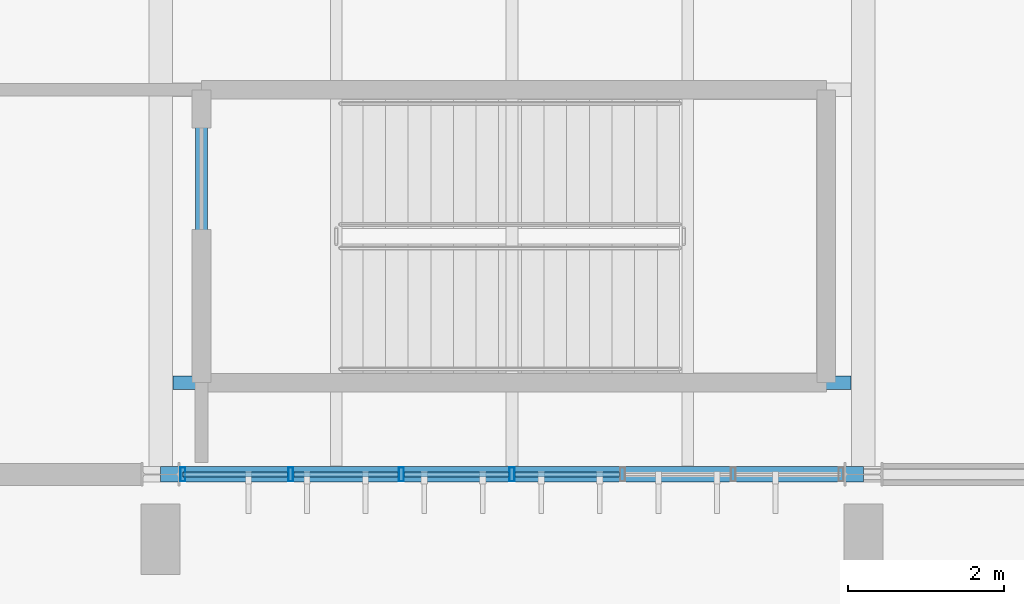
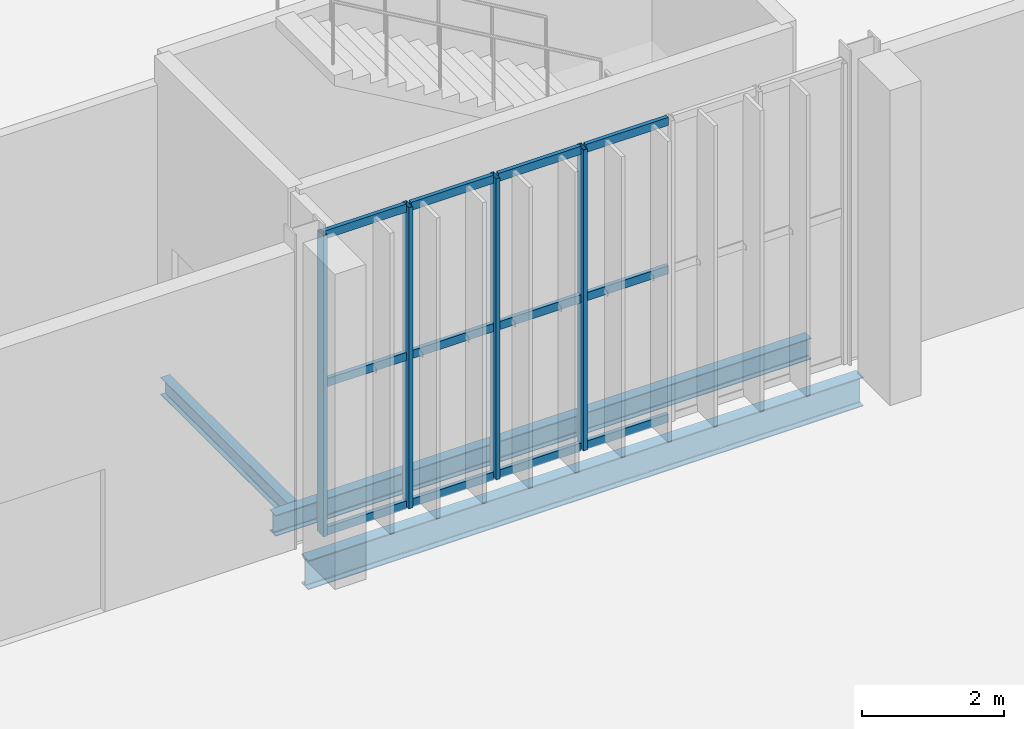
# One storey, part 41 of 158: 16 members, 3 beams, 1 element without a shape of its own.
"""IFC4 building model written with IfcOpenShell, lengths in metres."""

from ifc_helpers import new_model, si_unit, derived_unit, direction, frame, origin, origin_2d, place, context, subcontext, project, spatial, hollow_rectangle, i_section, extrude, material, material_profile, profile_set, type_object, element, aggregate, save


model = new_model("IFC4")

# Units and contexts
model_context = context("Model", 3, precision=1e-05, world=origin(), true_north=direction((0.0, 1.0)))
body_context = subcontext(model_context, "Body", "Model", "MODEL_VIEW")
ifc_project = project(units=[si_unit("LENGTHUNIT", "METRE"), si_unit("AREAUNIT", "SQUARE_METRE"), si_unit("VOLUMEUNIT", "CUBIC_METRE"), si_unit("PLANEANGLEUNIT", "RADIAN"), si_unit("MASSUNIT", "GRAM", prefix="KILO"), si_unit("THERMODYNAMICTEMPERATUREUNIT", "KELVIN"), si_unit("TIMEUNIT", "SECOND"), derived_unit("THERMALTRANSMITTANCEUNIT", [(si_unit("MASSUNIT", "GRAM", prefix="KILO"), 1), (si_unit("THERMODYNAMICTEMPERATUREUNIT", "KELVIN"), -1), (si_unit("TIMEUNIT", "SECOND"), -3)])], contexts=[model_context])

# Site, building, storey
site_placement = place(None, origin())
site = spatial("IfcSite", under=ifc_project, at=site_placement, CompositionType="ELEMENT")
building_placement = place(site_placement, origin())
building = spatial("IfcBuilding", under=site, at=building_placement, Name="Cambertide Market Hall", CompositionType="ELEMENT")
storey_placement = place(building_placement, origin())
storey = spatial("IfcBuildingStorey", under=building, at=storey_placement, Name="L01", CompositionType="ELEMENT", Elevation=0.0)

# Curtain wall, members
ifc_material_1 = material(Name="Marine Anodized Aluminium 6063-T6 AA25", Category="aluminium")
curtain_wall_type = type_object("IfcCurtainWallType", Name="Lantern Straight Lower Curtain Wall", PredefinedType="USERDEFINED", material=ifc_material_1)
curtain_wall_placement = place(storey_placement, origin())
curtain_wall = element("IfcCurtainWall", 1, at=curtain_wall_placement, inside=storey, type_object=curtain_wall_type, Name="Level 1 Curtain Wall CW-V1S-L01-5", ObjectType="UNITIZED CURTAIN WALL", PredefinedType="USERDEFINED")
ifc_material_2 = material(Name="Champagne Marine Anodized Aluminium 6063-T6 AA25", Category="aluminium")
ifc_material_profile_1 = material_profile(ifc_material_2, hollow_rectangle(XDim=0.06494140625, YDim=0.179931640625, WallThickness=0.00390625, at=origin_2d()), Name="ALU MULLION 65x180")
ifc_profile_set_1 = profile_set([ifc_material_profile_1], Name="Champagne Marine Anodized Aluminium 6063-T6 AA25")
member_type_1 = type_object("IfcMemberType", Name="Curtain Wall Mullion ALU MULLION 65x180", PredefinedType="MULLION", material=ifc_profile_set_1)
member_1_placement = place(storey_placement, frame((82.5, 52.0, 0.0), z_axis=(0.0, 0.0, 1.0), x_axis=(-1.0, 0.0, 0.0)))
member_1 = element("IfcMember", 2, at=member_1_placement, type_object=member_type_1, Name="CW-V1S-L01-5 Mullion 4", PredefinedType="MULLION", context=body_context, shape_type="SweptSolid", body=[
    extrude(hollow_rectangle(XDim=0.06494140625, YDim=0.179931640625, WallThickness=0.00390625, at=origin_2d()), origin(), (0.0, 0.0, 1.0), 5.159912109375),
])
member_2_placement = place(storey_placement, frame((81.083251953125, 52.0, 0.0), z_axis=(0.0, 0.0, 1.0), x_axis=(-1.0, 0.0, 0.0)))
member_2 = element("IfcMember", 3, at=member_2_placement, type_object=member_type_1, Name="CW-V1S-L01-5 Mullion 5", PredefinedType="MULLION", context=body_context, shape_type="SweptSolid", body=[
    extrude(hollow_rectangle(XDim=0.06494140625, YDim=0.179931640625, WallThickness=0.00390625, at=origin_2d()), origin(), (0.0, 0.0, 1.0), 5.159912109375),
])
member_3_placement = place(storey_placement, frame((79.666748046875, 52.0, 0.0), z_axis=(0.0, 0.0, 1.0), x_axis=(-1.0, 0.0, 0.0)))
member_3 = element("IfcMember", 4, at=member_3_placement, type_object=member_type_1, Name="CW-V1S-L01-5 Mullion 6", PredefinedType="MULLION", context=body_context, shape_type="SweptSolid", body=[
    extrude(hollow_rectangle(XDim=0.06494140625, YDim=0.179931640625, WallThickness=0.00390625, at=origin_2d()), origin(), (0.0, 0.0, 1.0), 5.159912109375),
])
member_4_placement = place(storey_placement, frame((78.284912109375, 52.0, 0.0), z_axis=(0.0, 0.0, 1.0), x_axis=(-1.0, 0.0, 0.0)))
member_4 = element("IfcMember", 5, at=member_4_placement, type_object=member_type_1, Name="CW-V1S-L01-5 Mullion 7", PredefinedType="MULLION", context=body_context, shape_type="SweptSolid", body=[
    extrude(hollow_rectangle(XDim=0.06494140625, YDim=0.179931640625, WallThickness=0.00390625, at=origin_2d()), origin(), (0.0, 0.0, 1.0), 5.159912109375),
])
ifc_material_3 = material(Name="Champagne Marine Anodized Aluminium 6063-T6 AA25", Category="aluminium")
ifc_material_profile_2 = material_profile(ifc_material_3, hollow_rectangle(XDim=0.06494140625, YDim=0.139892578125, WallThickness=0.00341796875, at=origin_2d()), Name="ALU TRANSOM 65x140")
ifc_profile_set_2 = profile_set([ifc_material_profile_2], Name="Champagne Marine Anodized Aluminium 6063-T6 AA25")
member_type_2 = type_object("IfcMemberType", Name="Curtain Wall Transom ALU TRANSOM 65x140", PredefinedType="USERDEFINED", material=ifc_profile_set_2)
member_5_placement = place(storey_placement, frame((83.876708984375, 52.0, 0.034912109375), z_axis=(-1.0, 0.0, 0.0), x_axis=(0.0, -1.0, 0.0)))
member_5 = element("IfcMember", 6, at=member_5_placement, type_object=member_type_2, Name="CW-V1S-L01-5 Transom 1-3", ObjectType="TRANSOM", PredefinedType="USERDEFINED", context=body_context, shape_type="SweptSolid", body=[
    extrude(hollow_rectangle(XDim=0.06494140625, YDim=0.139892578125, WallThickness=0.00341796875, at=origin_2d()), origin(), (0.0, 0.0, 1.0), 1.336669921875),
])
member_6_placement = place(storey_placement, frame((82.4599609375, 52.0, 0.034912109375), z_axis=(-1.0, 0.0, 0.0), x_axis=(0.0, -1.0, 0.0)))
member_6 = element("IfcMember", 7, at=member_6_placement, type_object=member_type_2, Name="CW-V1S-L01-5 Transom 1-4", ObjectType="TRANSOM", PredefinedType="USERDEFINED", context=body_context, shape_type="SweptSolid", body=[
    extrude(hollow_rectangle(XDim=0.06494140625, YDim=0.139892578125, WallThickness=0.00341796875, at=origin_2d()), origin(), (0.0, 0.0, 1.0), 1.336669921875),
])
member_7_placement = place(storey_placement, frame((81.043212890625, 52.0, 0.034912109375), z_axis=(-1.0, 0.0, 0.0), x_axis=(0.0, -1.0, 0.0)))
member_7 = element("IfcMember", 8, at=member_7_placement, type_object=member_type_2, Name="CW-V1S-L01-5 Transom 1-5", ObjectType="TRANSOM", PredefinedType="USERDEFINED", context=body_context, shape_type="SweptSolid", body=[
    extrude(hollow_rectangle(XDim=0.06494140625, YDim=0.139892578125, WallThickness=0.00341796875, at=origin_2d()), origin(), (0.0, 0.0, 1.0), 1.33642578125),
])
member_8_placement = place(storey_placement, frame((79.626708984375, 52.0, 0.034912109375), z_axis=(-1.0, 0.0, 0.0), x_axis=(0.0, -1.0, 0.0)))
member_8 = element("IfcMember", 9, at=member_8_placement, type_object=member_type_2, Name="CW-V1S-L01-5 Transom 1-6", ObjectType="TRANSOM", PredefinedType="USERDEFINED", context=body_context, shape_type="SweptSolid", body=[
    extrude(hollow_rectangle(XDim=0.06494140625, YDim=0.139892578125, WallThickness=0.00341796875, at=origin_2d()), origin(), (0.0, 0.0, 1.0), 1.336669921875),
])
member_9_placement = place(storey_placement, frame((83.876708984375, 52.0, 2.580078125), z_axis=(-1.0, 0.0, 0.0), x_axis=(0.0, -1.0, 0.0)))
member_9 = element("IfcMember", 10, at=member_9_placement, type_object=member_type_2, Name="CW-V1S-L01-5 Transom 2-3", ObjectType="TRANSOM", PredefinedType="USERDEFINED", context=body_context, shape_type="SweptSolid", body=[
    extrude(hollow_rectangle(XDim=0.06494140625, YDim=0.139892578125, WallThickness=0.00341796875, at=origin_2d()), origin(), (0.0, 0.0, 1.0), 1.336669921875),
])
member_10_placement = place(storey_placement, frame((82.4599609375, 52.0, 2.580078125), z_axis=(-1.0, 0.0, 0.0), x_axis=(0.0, -1.0, 0.0)))
member_10 = element("IfcMember", 11, at=member_10_placement, type_object=member_type_2, Name="CW-V1S-L01-5 Transom 2-4", ObjectType="TRANSOM", PredefinedType="USERDEFINED", context=body_context, shape_type="SweptSolid", body=[
    extrude(hollow_rectangle(XDim=0.06494140625, YDim=0.139892578125, WallThickness=0.00341796875, at=origin_2d()), origin(), (0.0, 0.0, 1.0), 1.336669921875),
])
member_11_placement = place(storey_placement, frame((81.043212890625, 52.0, 2.580078125), z_axis=(-1.0, 0.0, 0.0), x_axis=(0.0, -1.0, 0.0)))
member_11 = element("IfcMember", 12, at=member_11_placement, type_object=member_type_2, Name="CW-V1S-L01-5 Transom 2-5", ObjectType="TRANSOM", PredefinedType="USERDEFINED", context=body_context, shape_type="SweptSolid", body=[
    extrude(hollow_rectangle(XDim=0.06494140625, YDim=0.139892578125, WallThickness=0.00341796875, at=origin_2d()), origin(), (0.0, 0.0, 1.0), 1.33642578125),
])
member_12_placement = place(storey_placement, frame((79.626708984375, 52.0, 2.580078125), z_axis=(-1.0, 0.0, 0.0), x_axis=(0.0, -1.0, 0.0)))
member_12 = element("IfcMember", 13, at=member_12_placement, type_object=member_type_2, Name="CW-V1S-L01-5 Transom 2-6", ObjectType="TRANSOM", PredefinedType="USERDEFINED", context=body_context, shape_type="SweptSolid", body=[
    extrude(hollow_rectangle(XDim=0.06494140625, YDim=0.139892578125, WallThickness=0.00341796875, at=origin_2d()), origin(), (0.0, 0.0, 1.0), 1.336669921875),
])
member_13_placement = place(storey_placement, frame((83.876708984375, 52.0, 5.125), z_axis=(-1.0, 0.0, 0.0), x_axis=(0.0, -1.0, 0.0)))
member_13 = element("IfcMember", 14, at=member_13_placement, type_object=member_type_2, Name="CW-V1S-L01-5 Transom 3-3", ObjectType="TRANSOM", PredefinedType="USERDEFINED", context=body_context, shape_type="SweptSolid", body=[
    extrude(hollow_rectangle(XDim=0.06494140625, YDim=0.139892578125, WallThickness=0.00341796875, at=origin_2d()), origin(), (0.0, 0.0, 1.0), 1.336669921875),
])
member_14_placement = place(storey_placement, frame((82.4599609375, 52.0, 5.125), z_axis=(-1.0, 0.0, 0.0), x_axis=(0.0, -1.0, 0.0)))
member_14 = element("IfcMember", 15, at=member_14_placement, type_object=member_type_2, Name="CW-V1S-L01-5 Transom 3-4", ObjectType="TRANSOM", PredefinedType="USERDEFINED", context=body_context, shape_type="SweptSolid", body=[
    extrude(hollow_rectangle(XDim=0.06494140625, YDim=0.139892578125, WallThickness=0.00341796875, at=origin_2d()), origin(), (0.0, 0.0, 1.0), 1.336669921875),
])
member_15_placement = place(storey_placement, frame((81.043212890625, 52.0, 5.125), z_axis=(-1.0, 0.0, 0.0), x_axis=(0.0, -1.0, 0.0)))
member_15 = element("IfcMember", 16, at=member_15_placement, type_object=member_type_2, Name="CW-V1S-L01-5 Transom 3-5", ObjectType="TRANSOM", PredefinedType="USERDEFINED", context=body_context, shape_type="SweptSolid", body=[
    extrude(hollow_rectangle(XDim=0.06494140625, YDim=0.139892578125, WallThickness=0.00341796875, at=origin_2d()), origin(), (0.0, 0.0, 1.0), 1.33642578125),
])
member_16_placement = place(storey_placement, frame((79.626708984375, 52.0, 5.125), z_axis=(-1.0, 0.0, 0.0), x_axis=(0.0, -1.0, 0.0)))
member_16 = element("IfcMember", 17, at=member_16_placement, type_object=member_type_2, Name="CW-V1S-L01-5 Transom 3-6", ObjectType="TRANSOM", PredefinedType="USERDEFINED", context=body_context, shape_type="SweptSolid", body=[
    extrude(hollow_rectangle(XDim=0.06494140625, YDim=0.139892578125, WallThickness=0.00341796875, at=origin_2d()), origin(), (0.0, 0.0, 1.0), 1.336669921875),
])
aggregate(curtain_wall, [member_1, member_2, member_3, member_4, member_5, member_6, member_7, member_8, member_9, member_10, member_11, member_12, member_13, member_14, member_15, member_16])

# Beams
ifc_material_4 = material(Name="Steel S355", Category="steel")
ifc_material_profile_3 = material_profile(ifc_material_4, i_section(OverallWidth=0.169921875, OverallDepth=0.360107421875, WebThickness=0.008056640625, FlangeThickness=0.0126953125, FilletRadius=0.01806640625, at=origin_2d()), Name="IPE 360")
ifc_profile_set_3 = profile_set([ifc_material_profile_3], Name="Steel S355")
beam_type_1 = type_object("IfcBeamType", Name="Steel Girder IPE 360", PredefinedType="BEAM", material=ifc_profile_set_3)
beam_1_placement = place(storey_placement, frame((78.157958984375, 53.175048828125, -0.489990234375), z_axis=(1.0, 0.0, 0.0), x_axis=(0.0, 1.0, 0.0)))
element("IfcBeam", 18, at=beam_1_placement, inside=storey, type_object=beam_type_1, Name="Level 1 Beam BM-ST02B-SHWL", PredefinedType="BEAM", context=body_context, shape_type="SweptSolid", body=[
    extrude(i_section(OverallWidth=0.169921875, OverallDepth=0.360107421875, WebThickness=0.008056640625, FlangeThickness=0.0126953125, FilletRadius=0.01806640625, at=origin_2d()), origin(), (0.0, 0.0, 1.0), 8.68408203125),
])
ifc_material_5 = material(Name="Steel S355", Category="steel")
ifc_material_profile_4 = material_profile(ifc_material_5, i_section(OverallWidth=0.199951171875, OverallDepth=0.5, WebThickness=0.01025390625, FlangeThickness=0.01611328125, FilletRadius=0.02099609375, at=origin_2d()), Name="IPE 500")
ifc_profile_set_4 = profile_set([ifc_material_profile_4], Name="Steel S355")
beam_type_2 = type_object("IfcBeamType", Name="Steel Girder IPE 500", PredefinedType="BEAM", material=ifc_profile_set_4)
beam_2_placement = place(storey_placement, frame((78.0, 52.0, -0.56005859375), z_axis=(1.0, 0.0, 0.0), x_axis=(0.0, 1.0, 0.0)))
element("IfcBeam", 19, at=beam_2_placement, inside=storey, type_object=beam_type_2, Name="Level 1 Beam BM-V1S-L01-5", PredefinedType="BEAM", context=body_context, shape_type="SweptSolid", body=[
    extrude(i_section(OverallWidth=0.199951171875, OverallDepth=0.5, WebThickness=0.01025390625, FlangeThickness=0.01611328125, FilletRadius=0.02099609375, at=origin_2d()), origin(), (0.0, 0.0, 1.0), 9.0),
])
ifc_material_6 = material(Name="Steel S275", Category="steel")
ifc_material_profile_5 = material_profile(ifc_material_6, i_section(OverallWidth=0.14990234375, OverallDepth=0.300048828125, WebThickness=0.007080078125, FlangeThickness=0.0107421875, FilletRadius=0.014892578125, at=origin_2d()), Name="IPE 300")
ifc_profile_set_5 = profile_set([ifc_material_profile_5], Name="Steel S275")
beam_type_3 = type_object("IfcBeamType", Name="Steel Secondary Joist IPE 300", PredefinedType="JOIST", material=ifc_profile_set_5)
beam_3_placement = place(storey_placement, frame((78.52490234375, 53.26806640625, -0.4599609375), z_axis=(0.0, 1.0, 0.0), x_axis=(-1.0, 0.0, 0.0)))
element("IfcBeam", 20, at=beam_3_placement, inside=storey, type_object=beam_type_3, Name="Level 1 Joist BM-ST02B-SHWN", PredefinedType="JOIST", context=body_context, shape_type="SweptSolid", body=[
    extrude(i_section(OverallWidth=0.14990234375, OverallDepth=0.300048828125, WebThickness=0.007080078125, FlangeThickness=0.0107421875, FilletRadius=0.014892578125, at=origin_2d()), origin(), (0.0, 0.0, 1.0), 3.56396484375),
])

save(model, "model.ifc")
